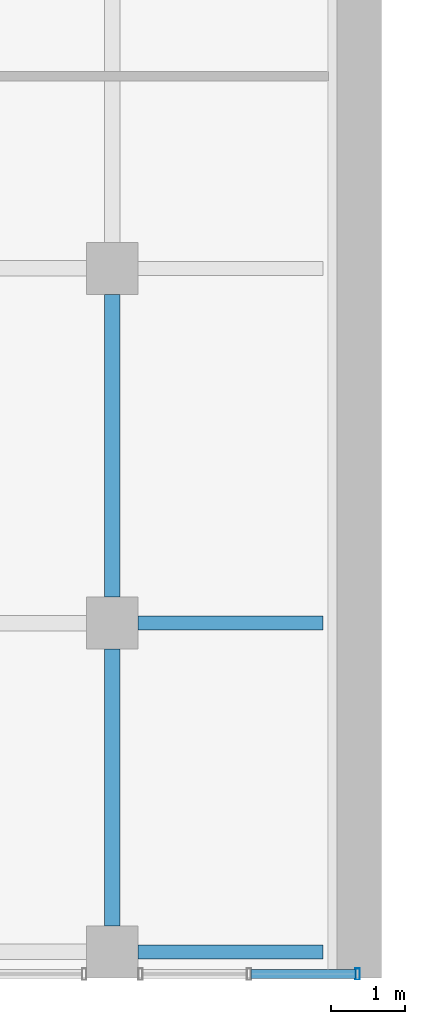
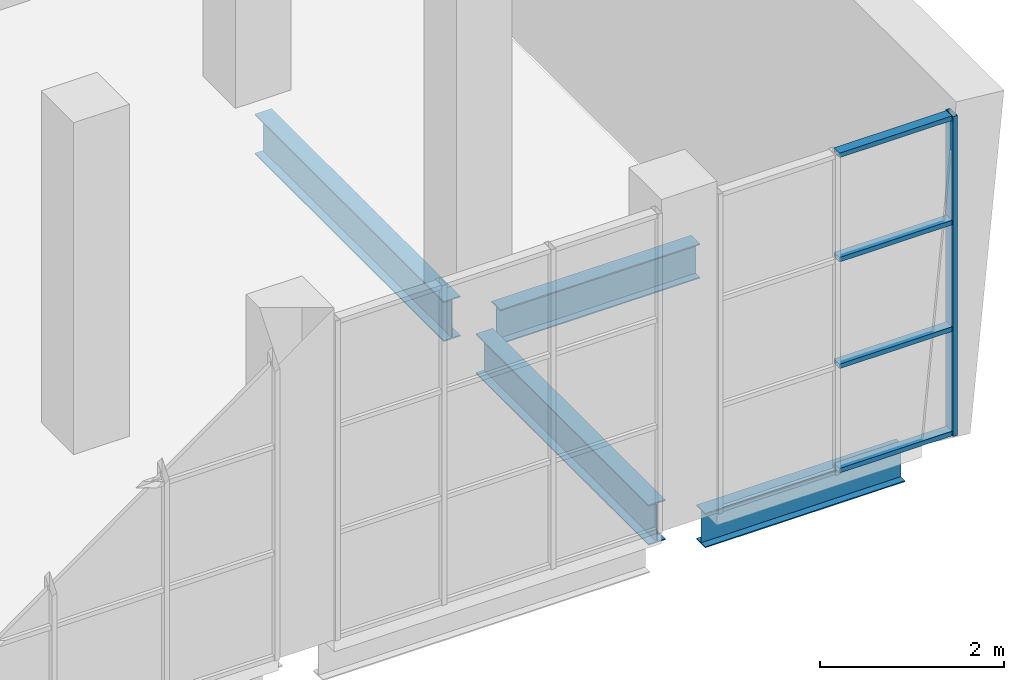
# One storey, part 11 of 30: 5 members, 4 beams, 1 element without a shape of its own.
"""IFC4 building model written with IfcOpenShell, lengths in metres."""

import ifcopenshell
import ifcopenshell.guid

model = None  # the IFC model being written
_history = None  # IfcOwnerHistory: only IFC2X3 demands one
_inside = {}  # id of a spatial element -> (the spatial element, [elements in it])
_under = {}  # id of a project, library or spatial element -> (it, [spatial elements below it])
_declared = {}  # id of a project -> (the project, [libraries it declares])
_typed = {}  # id of a type object -> (the type object, [elements of that type])
_made_of = {}  # id of a material, layer set ... -> (it, [elements and type objects made of it])


def new_model(schema):
    """Start an empty IFC model of exactly this schema.

    Asked for "IFC4X3", IfcOpenShell would pick the latest addendum, in which some entities
    have other attributes; the version numbers below select the first issue.
    IFC2X3 requires an IfcOwnerHistory on every rooted entity: one is made here for all.
    """
    global model, _history
    if schema == "IFC4X3":
        model = ifcopenshell.file(schema_version=(4, 3, 0, 0))
    else:
        model = ifcopenshell.file(schema=schema)
    _inside.clear()
    _under.clear()
    _declared.clear()
    _typed.clear()
    _made_of.clear()
    _history = None
    if model.schema == "IFC2X3":
        org = make("IfcOrganization", Name="unknown")
        user = make(
            "IfcPersonAndOrganization",
            ThePerson=make("IfcPerson", FamilyName="unknown"),
            TheOrganization=org,
        )
        app = make(
            "IfcApplication",
            ApplicationDeveloper=org,
            Version="unknown",
            ApplicationFullName="unknown",
            ApplicationIdentifier="unknown",
        )
        _history = make(
            "IfcOwnerHistory",
            OwningUser=user,
            OwningApplication=app,
            ChangeAction="ADDED",
            CreationDate=0,
        )
    return model


def make(cls, **values):
    """One entity of the class cls with the attributes given. An attribute that is None is left unset."""
    return model.create_entity(
        cls, **{name: value for name, value in values.items() if value is not None}
    )


def rooted(cls, **values):
    """An entity with a GlobalId (a new one), such as an element, a storey or a relation."""
    return make(cls, GlobalId=ifcopenshell.guid.new(), OwnerHistory=_history, **values)


def si_unit(unit_type, name, prefix=None):
    """IfcSIUnit, for example si_unit("LENGTHUNIT", "METRE", prefix="MILLI")."""
    return make("IfcSIUnit", UnitType=unit_type, Prefix=prefix, Name=name)


def assignment(units):
    """IfcUnitAssignment: the units of a project."""
    return None if units is None else make("IfcUnitAssignment", Units=units)


def point(xyz):
    """IfcCartesianPoint."""
    return None if xyz is None else make("IfcCartesianPoint", Coordinates=xyz)


def direction(xyz):
    """IfcDirection."""
    return None if xyz is None else make("IfcDirection", DirectionRatios=xyz)


def frame(location, z_axis=None, x_axis=None):
    """IfcAxis2Placement3D, a coordinate frame: its origin and axes. An axis left out is left unset."""
    return make(
        "IfcAxis2Placement3D",
        Location=point(location),
        Axis=direction(z_axis),
        RefDirection=direction(x_axis),
    )


def frame_2d(location, x_axis=None):
    """IfcAxis2Placement2D, a coordinate frame in the plane: its origin and x axis."""
    return make(
        "IfcAxis2Placement2D", Location=point(location), RefDirection=direction(x_axis)
    )


def origin():
    """The frame at (0, 0, 0) with its axes left unset."""
    return frame((0.0, 0.0, 0.0))


def origin_2d():
    """The frame at (0, 0) in the plane with its x axis left unset."""
    return frame_2d((0.0, 0.0))


def place(relative_to, where):
    """IfcLocalPlacement: puts the frame where relative to a parent placement (None: the world)."""
    return make(
        "IfcLocalPlacement", PlacementRelTo=relative_to, RelativePlacement=where
    )


def context(
    kind, dimensions, precision=None, world=None, true_north=None, identifier=None
):
    """IfcGeometricRepresentationContext, for example the 3D "Model" context."""
    return make(
        "IfcGeometricRepresentationContext",
        ContextIdentifier=identifier,
        ContextType=kind,
        CoordinateSpaceDimension=dimensions,
        Precision=precision,
        WorldCoordinateSystem=world,
        TrueNorth=true_north,
    )


def subcontext(parent, identifier, kind, view, scale=None):
    """IfcGeometricRepresentationSubContext, for example "Body" below "Model"."""
    return make(
        "IfcGeometricRepresentationSubContext",
        ContextIdentifier=identifier,
        ContextType=kind,
        ParentContext=parent,
        TargetScale=scale,
        TargetView=view,
    )


def project(units=None, contexts=None):
    """IfcProject with its units and contexts."""
    return rooted(
        "IfcProject",
        Name="project",
        RepresentationContexts=contexts,
        UnitsInContext=assignment(units),
    )


def spatial(cls, under=None, at=None, **own):
    """A site, building, storey or space (cls), placed at a placement, below another one or the project."""
    s = rooted(cls, ObjectPlacement=at, **own)
    if under is not None:
        _under.setdefault(under.id(), (under, []))[1].append(s)
    return s


def profile(cls, at=None, kind="AREA", **sizes):
    """A parametric profile (cls). Its sizes go by their IFC names, for example OverallWidth=200.0."""
    return make(cls, ProfileType=kind, Position=at, **sizes)


def hollow_rectangle(**sizes):
    """IfcRectangleHollowProfileDef."""
    return profile("IfcRectangleHollowProfileDef", **sizes)


def i_section(**sizes):
    """IfcIShapeProfileDef."""
    return profile("IfcIShapeProfileDef", **sizes)


def extrude(swept, where, along, depth):
    """IfcExtrudedAreaSolid: the profile swept, set in the frame where, extruded along a direction by depth."""
    return make(
        "IfcExtrudedAreaSolid",
        SweptArea=swept,
        Position=where,
        ExtrudedDirection=direction(along),
        Depth=depth,
    )


def shape(context_of_items, identifier, shape_type, items):
    """IfcShapeRepresentation: the items that make up one representation, for example the "Body"."""
    return make(
        "IfcShapeRepresentation",
        ContextOfItems=context_of_items,
        RepresentationIdentifier=identifier,
        RepresentationType=shape_type,
        Items=items,
    )


def material(Name=None, Category=None):
    """IfcMaterial."""
    return make("IfcMaterial", Name=Name, Category=Category)


def layer(
    of_material, thickness, ventilated=None, Name=None, Category=None, Priority=None
):
    """IfcMaterialLayer: one layer of a wall or slab, of a material (None: an air gap)."""
    return make(
        "IfcMaterialLayer",
        Material=of_material,
        LayerThickness=thickness,
        IsVentilated=ventilated,
        Name=Name,
        Category=Category,
        Priority=Priority,
    )


def layer_set(layers, Name=None):
    """IfcMaterialLayerSet."""
    return make("IfcMaterialLayerSet", MaterialLayers=layers, LayerSetName=Name)


def material_profile(
    of_material, cross_section, Name=None, Category=None, Priority=None
):
    """IfcMaterialProfile: a cross section and its material."""
    return make(
        "IfcMaterialProfile",
        Name=Name,
        Material=of_material,
        Profile=cross_section,
        Priority=Priority,
        Category=Category,
    )


def profile_set(profiles, Name=None, composite=None):
    """IfcMaterialProfileSet."""
    return make(
        "IfcMaterialProfileSet",
        Name=Name,
        MaterialProfiles=profiles,
        CompositeProfile=composite,
    )


def made_of(thing, what):
    """Note that an element or type object is made of a material, layer set ...; save() writes the relation."""
    if what is not None:
        _made_of.setdefault(what.id(), (what, []))[1].append(thing)
    return thing


def type_object(cls, material=None, **own):
    """A type object (cls), such as IfcWallType, which elements share."""
    return made_of(rooted(cls, **own), material)


def element(
    cls,
    number,
    at=None,
    inside=None,
    cuts=None,
    type_object=None,
    material=None,
    context=None,
    identifier="Body",
    shape_type=None,
    held_by="IfcProductDefinitionShape",
    body=None,
    shapes=None,
    **own,
):
    """One element of the class cls, such as IfcWall. Its Tag is "e" and its number.

    at: its placement. inside: the storey or other place that contains it. cuts: it is an
    opening in that element (IfcRelVoidsElement). A single representation is given by context,
    identifier, shape_type and body (its items); several are given by shapes. held_by: the class
    of the entity that holds the representations. save() writes the other relations.
    """
    e = rooted(cls, Tag="e%d" % number, ObjectPlacement=at, **own)
    if body is not None:
        shapes = [shape(context, identifier, shape_type, body)]
    if shapes is not None:
        e.Representation = make(held_by, Representations=shapes)
    if inside is not None:
        _inside.setdefault(inside.id(), (inside, []))[1].append(e)
    if cuts is not None:
        rooted(
            "IfcRelVoidsElement", RelatingBuildingElement=cuts, RelatedOpeningElement=e
        )
    if type_object is not None:
        _typed.setdefault(type_object.id(), (type_object, []))[1].append(e)
    return made_of(e, material)


def aggregate(whole, parts):
    """IfcRelAggregates: a whole, such as a stair, and the parts it consists of."""
    return rooted("IfcRelAggregates", RelatingObject=whole, RelatedObjects=parts)


def save(model, path):
    """Write the relations noted so far, then the file.

    IfcRelAggregates (storeys below a building ...), IfcRelContainedInSpatialStructure (elements
    in a storey), IfcRelDefinesByType, IfcRelAssociatesMaterial and IfcRelDeclares: one each for
    every whole, place, type object, material and project.
    """
    for whole, parts in _under.values():
        aggregate(whole, parts)
    for where, things in _inside.values():
        rooted(
            "IfcRelContainedInSpatialStructure",
            RelatedElements=things,
            RelatingStructure=where,
        )
    for kind, things in _typed.values():
        rooted("IfcRelDefinesByType", RelatedObjects=things, RelatingType=kind)
    for what, things in _made_of.values():
        rooted("IfcRelAssociatesMaterial", RelatedObjects=things, RelatingMaterial=what)
    for by, libraries in _declared.values():
        rooted("IfcRelDeclares", RelatingContext=by, RelatedDefinitions=libraries)
    model.write(path)


model = new_model("IFC4")

# Units and contexts
model_context = context("Model", 3, precision=1e-05, world=origin(), true_north=direction((0.0, 1.0)))
body_context = subcontext(model_context, "Body", "Model", "MODEL_VIEW")
ifc_project = project(units=[si_unit("LENGTHUNIT", "METRE"), si_unit("AREAUNIT", "SQUARE_METRE"), si_unit("VOLUMEUNIT", "CUBIC_METRE"), si_unit("PLANEANGLEUNIT", "RADIAN"), si_unit("MASSUNIT", "GRAM", prefix="KILO")], contexts=[model_context])

# Site, building, storey
site_placement = place(None, origin())
site = spatial("IfcSite", under=ifc_project, at=site_placement, CompositionType="ELEMENT")
building_placement = place(site_placement, origin())
building = spatial("IfcBuilding", under=site, at=building_placement, Name="Baori Bourse Tower", CompositionType="ELEMENT")
storey_placement = place(building_placement, frame((0.0, 0.0, 17.0)))
storey = spatial("IfcBuildingStorey", under=building, at=storey_placement, Name="L02", CompositionType="ELEMENT", Elevation=17.0)

# Beams
ifc_material_1 = material(Name="Steel A992 Gr 50", Category="steel")
ifc_material_profile_1 = material_profile(ifc_material_1, i_section(OverallWidth=0.1904296875, OverallDepth=0.457275390625, WebThickness=0.009033203125, FlangeThickness=0.014404296875, at=origin_2d()), Name="W18x50")
ifc_profile_set_1 = profile_set([ifc_material_profile_1], Name="Steel A992 Gr 50")
beam_type_1 = type_object("IfcBeamType", Name="Wing beam W18x50", PredefinedType="BEAM", material=ifc_profile_set_1)
for number, where, z_axis, x_axis, name in (
    (1, (74.85302734375, -24.85009765625, -0.388671875), (-1.0, 0.0, 0.0), (0.0, -1.0, 0.0), "wing/L02/Ebeam/001"),
    (2, (74.85302734375, -20.39990234375, -0.388671875), (-1.0, 0.0, 0.0), (0.0, -1.0, 0.0), "wing/L02/Ebeam/004"),
):
    element("IfcBeam", number, at=place(storey_placement, frame(where, z_axis=z_axis, x_axis=x_axis)), inside=storey, type_object=beam_type_1, Name=name, PredefinedType="BEAM", context=body_context, shape_type="SweptSolid", body=[
        extrude(i_section(OverallWidth=0.1904296875, OverallDepth=0.457275390625, WebThickness=0.009033203125, FlangeThickness=0.014404296875, at=origin_2d()), origin(), (0.0, 0.0, 1.0), 2.5029296875),
    ])
ifc_material_2 = material(Name="Steel A992 Gr 50", Category="steel")
ifc_material_profile_2 = material_profile(ifc_material_2, i_section(OverallWidth=0.209228515625, OverallDepth=0.533447265625, WebThickness=0.01025390625, FlangeThickness=0.015625, at=origin_2d()), Name="W21x62")
ifc_profile_set_2 = profile_set([ifc_material_profile_2], Name="Steel A992 Gr 50")
beam_type_2 = type_object("IfcBeamType", Name="Wing beam W21x62", PredefinedType="BEAM", material=ifc_profile_set_2)
beam_1_placement = place(storey_placement, frame((72.0, -24.5, -0.4267578125), z_axis=(0.0, 1.0, 0.0), x_axis=(-1.0, 0.0, 0.0)))
element("IfcBeam", 3, at=beam_1_placement, inside=storey, type_object=beam_type_2, Name="wing/L02/Ebeamy/001", PredefinedType="BEAM", context=body_context, shape_type="SweptSolid", body=[
    extrude(i_section(OverallWidth=0.209228515625, OverallDepth=0.533447265625, WebThickness=0.01025390625, FlangeThickness=0.015625, at=origin_2d()), origin(), (0.0, 0.0, 1.0), 3.75),
])
beam_2_placement = place(storey_placement, frame((72.0, -20.050048828125, -0.4267578125), z_axis=(0.0, 1.0, 0.0), x_axis=(-1.0, 0.0, 0.0)))
element("IfcBeam", 4, at=beam_2_placement, inside=storey, type_object=beam_type_2, Name="wing/L02/Ebeamy/002", PredefinedType="BEAM", context=body_context, shape_type="SweptSolid", body=[
    extrude(i_section(OverallWidth=0.209228515625, OverallDepth=0.533447265625, WebThickness=0.01025390625, FlangeThickness=0.015625, at=origin_2d()), origin(), (0.0, 0.0, 1.0), 4.10009765625),
])

# Curtain wall, members
ifc_material_3 = material(Name="Pale anodised aluminium", Category="aluminium")
ifc_layer = layer(ifc_material_3, 0.10009765625)
ifc_layer_set = layer_set([ifc_layer], Name="Wing curtain wall")
curtain_wall_type = type_object("IfcCurtainWallType", Name="Wing curtain wall", PredefinedType="NOTDEFINED", material=ifc_layer_set)
curtain_wall_placement = place(storey_placement, origin())
curtain_wall = element("IfcCurtainWall", 5, at=curtain_wall_placement, inside=storey, type_object=curtain_wall_type, Name="wing/L02/Ecw/001", PredefinedType="NOTDEFINED")
ifc_material_4 = material(Name="Pale anodised aluminium", Category="aluminium")
ifc_material_profile_3 = material_profile(ifc_material_4, hollow_rectangle(XDim=0.159912109375, YDim=0.06005859375, WallThickness=0.0048828125, at=origin_2d()), Name="Mullion 160x60x5")
ifc_profile_set_3 = profile_set([ifc_material_profile_3], Name="Pale anodised aluminium")
member_type_1 = type_object("IfcMemberType", Name="Wing mullion 60x160", PredefinedType="MULLION", material=ifc_profile_set_3)
member_1_placement = place(storey_placement, frame((75.31982421875, -25.14990234375, 0.0), z_axis=(0.0, 0.0, 1.0), x_axis=(0.0, 1.0, 0.0)))
member_1 = element("IfcMember", 6, at=member_1_placement, type_object=member_type_1, Name="X12 mullion 3", PredefinedType="MULLION", context=body_context, shape_type="SweptSolid", body=[
    extrude(hollow_rectangle(XDim=0.159912109375, YDim=0.06005859375, WallThickness=0.0048828125, at=origin_2d()), origin(), (0.0, 0.0, 1.0), 4.239990234375),
])
ifc_material_5 = material(Name="Pale anodised aluminium", Category="aluminium")
ifc_material_profile_4 = material_profile(ifc_material_5, hollow_rectangle(XDim=0.1201171875, YDim=0.06005859375, WallThickness=0.0048828125, at=origin_2d()), Name="Transom 120x60x5")
ifc_profile_set_4 = profile_set([ifc_material_profile_4], Name="Pale anodised aluminium")
member_type_2 = type_object("IfcMemberType", Name="Wing transom 120x60", PredefinedType="USERDEFINED", material=ifc_profile_set_4)
member_2_placement = place(storey_placement, frame((73.8798828125, -25.14990234375, 0.030029296875), z_axis=(1.0, 0.0, 0.0), x_axis=(0.0, 1.0, 0.0)))
member_2 = element("IfcMember", 7, at=member_2_placement, type_object=member_type_2, Name="X12 transom 2.1", ObjectType="TRANSOM", PredefinedType="USERDEFINED", context=body_context, shape_type="SweptSolid", body=[
    extrude(hollow_rectangle(XDim=0.1201171875, YDim=0.06005859375, WallThickness=0.0048828125, at=origin_2d()), origin(), (0.0, 0.0, 1.0), 1.409912109375),
])
member_3_placement = place(storey_placement, frame((73.8798828125, -25.14990234375, 1.413330078125), z_axis=(1.0, 0.0, 0.0), x_axis=(0.0, 1.0, 0.0)))
member_3 = element("IfcMember", 8, at=member_3_placement, type_object=member_type_2, Name="X12 transom 2.2", ObjectType="TRANSOM", PredefinedType="USERDEFINED", context=body_context, shape_type="SweptSolid", body=[
    extrude(hollow_rectangle(XDim=0.1201171875, YDim=0.06005859375, WallThickness=0.0048828125, at=origin_2d()), origin(), (0.0, 0.0, 1.0), 1.409912109375),
])
member_4_placement = place(storey_placement, frame((73.8798828125, -25.14990234375, 2.82666015625), z_axis=(1.0, 0.0, 0.0), x_axis=(0.0, 1.0, 0.0)))
member_4 = element("IfcMember", 9, at=member_4_placement, type_object=member_type_2, Name="X12 transom 2.3", ObjectType="TRANSOM", PredefinedType="USERDEFINED", context=body_context, shape_type="SweptSolid", body=[
    extrude(hollow_rectangle(XDim=0.1201171875, YDim=0.06005859375, WallThickness=0.0048828125, at=origin_2d()), origin(), (0.0, 0.0, 1.0), 1.409912109375),
])
member_5_placement = place(storey_placement, frame((73.8798828125, -25.14990234375, 4.2099609375), z_axis=(1.0, 0.0, 0.0), x_axis=(0.0, 1.0, 0.0)))
member_5 = element("IfcMember", 10, at=member_5_placement, type_object=member_type_2, Name="X12 transom 2.4", ObjectType="TRANSOM", PredefinedType="USERDEFINED", context=body_context, shape_type="SweptSolid", body=[
    extrude(hollow_rectangle(XDim=0.1201171875, YDim=0.06005859375, WallThickness=0.0048828125, at=origin_2d()), origin(), (0.0, 0.0, 1.0), 1.409912109375),
])
aggregate(curtain_wall, [member_1, member_2, member_3, member_4, member_5])

save(model, "model.ifc")
